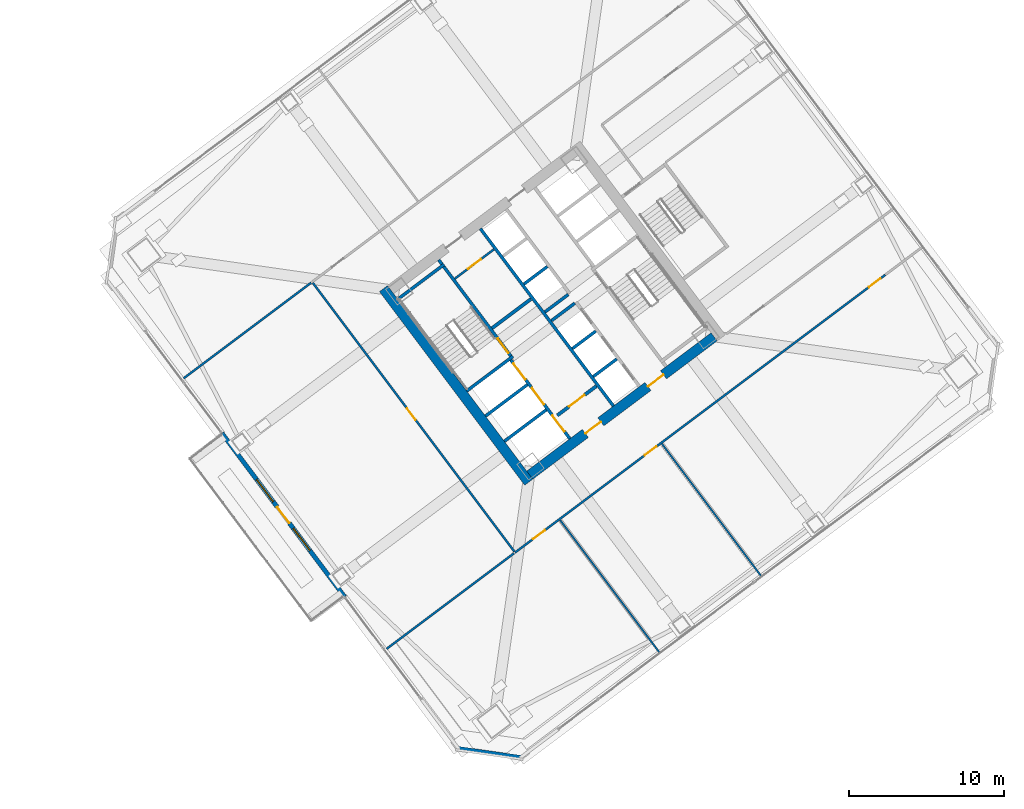
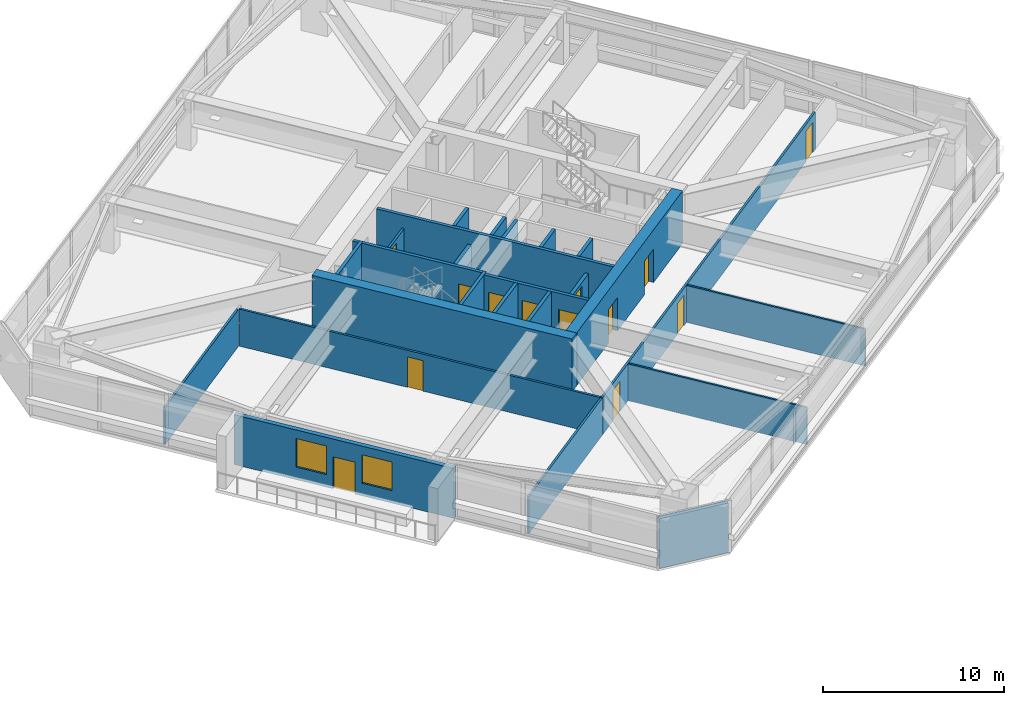
# One storey, part 40 of 48: 25 walls, 13 doors, 2 windows, 15 openings.
"""IFC4 building model written with IfcOpenShell, lengths in metres."""

from ifc_helpers import new_model, si_unit, direction, frame, frame_2d, origin, place, context, subcontext, project, spatial, rectangle, extrude, material, layer, layer_set, type_object, element, fill, save


model = new_model("IFC4")

# Units and contexts
model_context = context("Model", 3, precision=1e-05, world=origin(), true_north=direction((0.0, 1.0)))
body_context = subcontext(model_context, "Body", "Model", "MODEL_VIEW")
ifc_project = project(units=[si_unit("LENGTHUNIT", "METRE"), si_unit("AREAUNIT", "SQUARE_METRE"), si_unit("VOLUMEUNIT", "CUBIC_METRE"), si_unit("PLANEANGLEUNIT", "RADIAN"), si_unit("MASSUNIT", "GRAM", prefix="KILO")], contexts=[model_context])

# Site, building, storey
site_placement = place(None, origin())
site = spatial("IfcSite", under=ifc_project, at=site_placement, CompositionType="ELEMENT")
building_placement = place(site_placement, origin())
building = spatial("IfcBuilding", under=site, at=building_placement, Name="Tashvorn Skyway Center", CompositionType="ELEMENT")
storey_placement = place(building_placement, frame((0.0, 0.0, 63.64990234375)))
storey = spatial("IfcBuildingStorey", under=building, at=storey_placement, Name="L16", CompositionType="ELEMENT", Elevation=63.64990234375)

# Wall
ifc_material_1 = material(Name="Concrete C60/75", Category="concrete")
ifc_layer_1 = layer(ifc_material_1, 0.64990234375)
ifc_layer_set_1 = layer_set([ifc_layer_1], Name="Concrete C60/75")
wall_type_1 = type_object("IfcWallType", Name="WALL-CORE-650", PredefinedType="SHEAR", material=ifc_layer_set_1)
wall_1_placement = place(storey_placement, frame((112.47607421875, 21.10693359375, 0.0), z_axis=(0.0, 0.0, 1.0), x_axis=(-0.600005007985, 0.799996243986, 0.0)))
element("IfcWall", 1, at=wall_1_placement, inside=storey, type_object=wall_type_1, Name="Tower 2 L16 West Core Shear Wall", PredefinedType="SHEAR", context=body_context, shape_type="SweptSolid", body=[
    extrude(rectangle(XDim=15.60009765625, YDim=0.64990234375, at=frame_2d((7.800048828125, 0.0))), origin(), (0.0, 0.0, 1.0), 3.550048828125),
])

# Wall, openings, doors
wall_2_placement = place(storey_placement, frame((124.428955078125, 30.47802734375, 0.0), z_axis=(0.0, 0.0, 1.0), x_axis=(-0.799998028465, -0.600002628705, 0.0)))
wall_2 = element("IfcWall", 2, at=wall_2_placement, inside=storey, type_object=wall_type_1, Name="Tower 2 L16 South Core Shear Wall", PredefinedType="SHEAR", context=body_context, shape_type="SweptSolid", body=[
    extrude(rectangle(XDim=14.85986328125, YDim=0.64990234375, at=frame_2d((7.429931640625, 0.0))), origin(), (0.0, 0.0, 1.0), 3.550048828125),
])
opening_1_placement = place(wall_2_placement, frame((9.1298828125, 0.0, 0.0)))
opening_1 = element("IfcOpeningElement", 3, at=opening_1_placement, cuts=wall_2, Name="Opening D-FFL-1250", PredefinedType="OPENING", context=body_context, shape_type="SweptSolid", body=[
    extrude(rectangle(XDim=1.25, YDim=2.25, at=frame_2d((0.625, 1.125))), frame((0.0, 0.3349609375, 0.0), z_axis=(0.0, -1.0, 0.0), x_axis=(1.0, 0.0, 0.0)), (0.0, 0.0, 1.0), 0.669921875),
])
opening_2_placement = place(wall_2_placement, frame((4.080078125, 0.0, 0.0)))
opening_2 = element("IfcOpeningElement", 4, at=opening_2_placement, cuts=wall_2, Name="Opening D-FFL-1250", PredefinedType="OPENING", context=body_context, shape_type="SweptSolid", body=[
    extrude(rectangle(XDim=1.25, YDim=2.25, at=frame_2d((0.625, 1.125))), frame((0.0, 0.3349609375, 0.0), z_axis=(0.0, -1.0, 0.0), x_axis=(1.0, 0.0, 0.0)), (0.0, 0.0, 1.0), 0.669921875),
])
ifc_material_2 = material(Name="Hollow galvanized steel fire door assembly", Category="steel")
door_type_1 = type_object("IfcDoorType", Name="DOOR-FFL-1250", OperationType="NOTDEFINED", PredefinedType="DOOR", material=ifc_material_2)
door_1_placement = place(opening_1_placement, origin())
door_1 = element("IfcDoor", 5, at=door_1_placement, inside=storey, type_object=door_type_1, Name="Tower 2 L16 Core South Firefighting Exit Door", OperationType="SINGLE_SWING_LEFT", OverallHeight=2.25, OverallWidth=1.25, PredefinedType="DOOR", context=body_context, shape_type="SweptSolid", body=[
    extrude(rectangle(XDim=1.25, YDim=2.25, at=frame_2d((0.625, 1.125))), frame((0.0, 0.02490234375, 0.0), z_axis=(0.0, -1.0, 0.0), x_axis=(1.0, 0.0, 0.0)), (0.0, 0.0, 1.0), 0.050048828125),
])
fill(opening_1, door_1)
door_2_placement = place(opening_2_placement, origin())
door_2 = element("IfcDoor", 6, at=door_2_placement, inside=storey, type_object=door_type_1, Name="Tower 2 L16 Core South Lift Lobby Door", OperationType="SINGLE_SWING_RIGHT", OverallHeight=2.25, OverallWidth=1.25, PredefinedType="DOOR", context=body_context, shape_type="SweptSolid", body=[
    extrude(rectangle(XDim=1.25, YDim=2.25, at=frame_2d((0.625, 1.125))), frame((0.0, 0.02490234375, 0.0), z_axis=(0.0, -1.0, 0.0), x_axis=(1.0, 0.0, 0.0)), (0.0, 0.0, 1.0), 0.050048828125),
])
fill(opening_2, door_2)

# Wall, openings, door, windows
ifc_material_3 = material(Name="Precast concrete C40/50", Category="concrete")
ifc_layer_2 = layer(ifc_material_3, 0.280029296875)
ifc_layer_set_2 = layer_set([ifc_layer_2], Name="Precast concrete C40/50")
wall_type_2 = type_object("IfcWallType", Name="WALL-EXT-280", PredefinedType="SOLIDWALL", material=ifc_layer_set_2)
wall_3_placement = place(storey_placement, frame((100.615966796875, 13.7119140625, 0.0), z_axis=(0.0, 0.0, 1.0), x_axis=(-0.599994081423, 0.800004438899, 0.0)))
wall_3 = element("IfcWall", 7, at=wall_3_placement, inside=storey, type_object=wall_type_2, Name="Tower 2 L16 West Sky Garden Loggia Wall", PredefinedType="SOLIDWALL", context=body_context, shape_type="SweptSolid", body=[
    extrude(rectangle(XDim=13.199951171875, YDim=0.280029296875, at=frame_2d((6.60009765625, 0.0))), origin(), (0.0, 0.0, 1.0), 3.35009765625),
])
opening_3_placement = place(wall_3_placement, frame((5.949951171875, 0.0, 0.0)))
opening_3 = element("IfcOpeningElement", 8, at=opening_3_placement, cuts=wall_3, Name="Opening D-TER-1300", PredefinedType="OPENING", context=body_context, shape_type="SweptSolid", body=[
    extrude(rectangle(XDim=1.300048828125, YDim=2.14990234375, at=frame_2d((0.64990234375, 1.074951171875))), frame((0.0, 0.14990234375, 0.0), z_axis=(0.0, -1.0, 0.0), x_axis=(1.0, 0.0, 0.0)), (0.0, 0.0, 1.0), 0.300048828125),
])
opening_4_placement = place(wall_3_placement, frame((3.73193359375, 0.0, 0.85009765625)))
opening_4 = element("IfcOpeningElement", 9, at=opening_4_placement, cuts=wall_3, Name="Opening WIN-1800", PredefinedType="OPENING", context=body_context, shape_type="SweptSolid", body=[
    extrude(rectangle(XDim=1.800048828125, YDim=1.919921875, at=frame_2d((0.89990234375, 0.9599609375))), frame((0.0, 0.14990234375, 0.0), z_axis=(0.0, -1.0, 0.0), x_axis=(1.0, 0.0, 0.0)), (0.0, 0.0, 1.0), 0.300048828125),
])
opening_5_placement = place(wall_3_placement, frame((7.66796875, 0.0, 0.85009765625)))
opening_5 = element("IfcOpeningElement", 10, at=opening_5_placement, cuts=wall_3, Name="Opening WIN-1800", PredefinedType="OPENING", context=body_context, shape_type="SweptSolid", body=[
    extrude(rectangle(XDim=1.800048828125, YDim=1.919921875, at=frame_2d((0.89990234375, 0.9599609375))), frame((0.0, 0.14990234375, 0.0), z_axis=(0.0, -1.0, 0.0), x_axis=(1.0, 0.0, 0.0)), (0.0, 0.0, 1.0), 0.300048828125),
])
ifc_material_4 = material(Name="Thermally broken bronze-anodized aluminium 6063-T6", Category="aluminium")
door_type_2 = type_object("IfcDoorType", Name="DOOR-TERR-1300", OperationType="NOTDEFINED", PredefinedType="DOOR", material=ifc_material_4)
door_3_placement = place(opening_3_placement, origin())
door_3 = element("IfcDoor", 11, at=door_3_placement, inside=storey, type_object=door_type_2, Name="Tower 2 L16 Sky Garden Access Door", OperationType="SINGLE_SWING_LEFT", OverallHeight=2.14990234375, OverallWidth=1.300048828125, PredefinedType="DOOR", context=body_context, shape_type="SweptSolid", body=[
    extrude(rectangle(XDim=1.300048828125, YDim=2.14990234375, at=frame_2d((0.64990234375, 1.074951171875))), frame((0.0, 0.02490234375, 0.0), z_axis=(0.0, -1.0, 0.0), x_axis=(1.0, 0.0, 0.0)), (0.0, 0.0, 1.0), 0.050048828125),
])
fill(opening_3, door_3)
ifc_material_5 = material(Name="Low-E solar-control double insulating safety glass", Category="glass")
window_type = type_object("IfcWindowType", Name="WIN-TERR-1800", PartitioningType="SINGLE_PANEL", PredefinedType="WINDOW", material=ifc_material_5)
window_1_placement = place(opening_4_placement, origin())
window_1 = element("IfcWindow", 12, at=window_1_placement, inside=storey, type_object=window_type, Name="Tower 2 L16 Sky Garden Window", OverallHeight=1.919921875, OverallWidth=1.800048828125, PartitioningType="SINGLE_PANEL", PredefinedType="WINDOW", context=body_context, shape_type="SweptSolid", body=[
    extrude(rectangle(XDim=1.800048828125, YDim=1.919921875, at=frame_2d((0.89990234375, 0.9599609375))), frame((0.0, 0.030029296875, 0.0), z_axis=(0.0, -1.0, 0.0), x_axis=(1.0, 0.0, 0.0)), (0.0, 0.0, 1.0), 0.06005859375),
])
fill(opening_4, window_1)
window_2_placement = place(opening_5_placement, origin())
window_2 = element("IfcWindow", 13, at=window_2_placement, inside=storey, type_object=window_type, Name="Tower 2 L16 Sky Garden Second Window", OverallHeight=1.919921875, OverallWidth=1.800048828125, PartitioningType="SINGLE_PANEL", PredefinedType="WINDOW", context=body_context, shape_type="SweptSolid", body=[
    extrude(rectangle(XDim=1.800048828125, YDim=1.919921875, at=frame_2d((0.89990234375, 0.9599609375))), frame((0.0, 0.030029296875, 0.0), z_axis=(0.0, -1.0, 0.0), x_axis=(1.0, 0.0, 0.0)), (0.0, 0.0, 1.0), 0.06005859375),
])
fill(opening_5, window_2)

# Walls
wall_4_placement = place(storey_placement, frame((111.97998046875, 3.360107421875, 0.0), z_axis=(0.0, 0.0, 1.0), x_axis=(-0.989955445613, 0.14137968631, 0.0)))
element("IfcWall", 14, at=wall_4_placement, inside=storey, type_object=wall_type_2, Name="Tower 2 L16 SW Precast Chamfer Wall", PredefinedType="SOLIDWALL", context=body_context, shape_type="SweptSolid", body=[
    extrude(rectangle(XDim=4.101318359375, YDim=0.280029296875, at=frame_2d((2.05078125, 0.0))), origin(), (0.0, 0.0, 1.0), 3.35009765625),
])
ifc_material_6 = material(Name="Concrete C40/50", Category="concrete")
ifc_layer_3 = layer(ifc_material_6, 0.219970703125)
ifc_layer_set_3 = layer_set([ifc_layer_3], Name="Concrete C40/50")
wall_type_3 = type_object("IfcWallType", Name="WALL-FFL-220", PredefinedType="SOLIDWALL", material=ifc_layer_set_3)
wall_5_placement = place(storey_placement, frame((110.10400390625, 31.028076171875, 0.0), z_axis=(0.0, 0.0, 1.0), x_axis=(0.800018601094, 0.59997519774, 0.0)))
element("IfcWall", 15, at=wall_5_placement, inside=storey, type_object=wall_type_3, Name="Tower 2 L16 Firefighting Lobby North Wall", PredefinedType="SOLIDWALL", context=body_context, shape_type="SweptSolid", body=[
    extrude(rectangle(XDim=3.14990234375, YDim=0.219970703125, at=frame_2d((1.574951171875, 0.0))), origin(), (0.0, 0.0, 1.0), 2.4931640625),
])

# Wall, opening, door
wall_6_placement = place(storey_placement, frame((114.31591796875, 25.412109375, 0.0), z_axis=(0.0, 0.0, 1.0), x_axis=(0.800018601094, 0.59997519774, 0.0)))
wall_6 = element("IfcWall", 16, at=wall_6_placement, inside=storey, type_object=wall_type_3, Name="Tower 2 L16 Firefighting Lobby South Wall", PredefinedType="SOLIDWALL", context=body_context, shape_type="SweptSolid", body=[
    extrude(rectangle(XDim=3.14990234375, YDim=0.219970703125, at=frame_2d((1.574951171875, 0.0))), origin(), (0.0, 0.0, 1.0), 2.4931640625),
])
opening_6_placement = place(wall_6_placement, frame((0.949951171875, 0.0, 0.0)))
opening_6 = element("IfcOpeningElement", 17, at=opening_6_placement, cuts=wall_6, Name="Opening D-FFL-1250", PredefinedType="OPENING", context=body_context, shape_type="SweptSolid", body=[
    extrude(rectangle(XDim=1.25, YDim=2.25, at=frame_2d((0.625, 1.125))), frame((0.0, 0.119873046875, 0.0), z_axis=(0.0, -1.0, 0.0), x_axis=(1.0, 0.0, 0.0)), (0.0, 0.0, 1.0), 0.239990234375),
])
door_4_placement = place(opening_6_placement, origin())
door_4 = element("IfcDoor", 18, at=door_4_placement, inside=storey, type_object=door_type_1, Name="Tower 2 L16 Firefighting Lobby Egress Door", OperationType="SINGLE_SWING_LEFT", OverallHeight=2.25, OverallWidth=1.25, PredefinedType="DOOR", context=body_context, shape_type="SweptSolid", body=[
    extrude(rectangle(XDim=1.25, YDim=2.25, at=frame_2d((0.625, 1.125))), frame((0.0, 0.02490234375, 0.0), z_axis=(0.0, -1.0, 0.0), x_axis=(1.0, 0.0, 0.0)), (0.0, 0.0, 1.0), 0.050048828125),
])
fill(opening_6, door_4)

# Walls
ifc_material_7 = material(Name="Gypsum board on cold-formed steel stud framing", Category="steel")
ifc_layer_4 = layer(ifc_material_7, 0.110107421875)
ifc_layer_set_4 = layer_set([ifc_layer_4], Name="Gypsum board on cold-formed steel stud framing")
wall_type_4 = type_object("IfcWallType", Name="WALL-PART-110", PredefinedType="PARTITIONING", material=ifc_layer_set_4)
wall_7_placement = place(storey_placement, frame((120.927978515625, 10.095947265625, 0.0), z_axis=(0.0, 0.0, 1.0), x_axis=(-0.599992698573, 0.800005476018, 0.0)))
element("IfcWall", 19, at=wall_7_placement, inside=storey, type_object=wall_type_4, Name="Tower 2 L16 South Suite Partition 1", PredefinedType="PARTITIONING", context=body_context, shape_type="SweptSolid", body=[
    extrude(rectangle(XDim=10.699951171875, YDim=0.110107421875, at=frame_2d((5.35009765625, 0.0))), origin(), (0.0, 0.0, 1.0), 2.4931640625),
])
wall_8_placement = place(storey_placement, frame((127.488037109375, 15.01611328125, 0.0), z_axis=(0.0, 0.0, 1.0), x_axis=(-0.600003650761, 0.799997261916, 0.0)))
element("IfcWall", 20, at=wall_8_placement, inside=storey, type_object=wall_type_4, Name="Tower 2 L16 South Suite Partition 2", PredefinedType="PARTITIONING", context=body_context, shape_type="SweptSolid", body=[
    extrude(rectangle(XDim=10.69970703125, YDim=0.110107421875, at=frame_2d((5.349853515625, 0.0))), origin(), (0.0, 0.0, 1.0), 2.4931640625),
])

# Wall, openings, doors
ifc_layer_5 = layer(ifc_material_7, 0.135009765625)
ifc_layer_set_5 = layer_set([ifc_layer_5], Name="Gypsum board on cold-formed steel stud framing")
wall_type_5 = type_object("IfcWallType", Name="WALL-PART-135", PredefinedType="PARTITIONING", material=ifc_layer_set_5)
wall_9_placement = place(storey_placement, frame((135.4599609375, 34.469970703125, 0.0), z_axis=(0.0, 0.0, 1.0), x_axis=(-0.800000982127, -0.599998690494, 0.0)))
wall_9 = element("IfcWall", 21, at=wall_9_placement, inside=storey, type_object=wall_type_5, Name="Tower 2 L16 South Suite Wall", PredefinedType="PARTITIONING", context=body_context, shape_type="SweptSolid", body=[
    extrude(rectangle(XDim=29.830078125, YDim=0.135009765625, at=frame_2d((14.9150390625, 0.0))), origin(), (0.0, 0.0, 1.0), 2.4931640625),
])
opening_7_placement = place(wall_9_placement, frame((27.431396484375, 0.0, 0.0)))
opening_7 = element("IfcOpeningElement", 22, at=opening_7_placement, cuts=wall_9, Name="Opening D-INT-950", PredefinedType="OPENING", context=body_context, shape_type="SweptSolid", body=[
    extrude(rectangle(XDim=0.949951171875, YDim=2.050048828125, at=frame_2d((0.47509765625, 1.02490234375))), frame((0.0, 0.077392578125, 0.0), z_axis=(0.0, -1.0, 0.0), x_axis=(1.0, 0.0, 0.0)), (0.0, 0.0, 1.0), 0.155029296875),
])
opening_8_placement = place(wall_9_placement, frame((18.429931640625, 0.0, 0.0)))
opening_8 = element("IfcOpeningElement", 23, at=opening_8_placement, cuts=wall_9, Name="Opening D-INT-950", PredefinedType="OPENING", context=body_context, shape_type="SweptSolid", body=[
    extrude(rectangle(XDim=0.949951171875, YDim=2.050048828125, at=frame_2d((0.47509765625, 1.02490234375))), frame((0.0, 0.077392578125, 0.0), z_axis=(0.0, -1.0, 0.0), x_axis=(1.0, 0.0, 0.0)), (0.0, 0.0, 1.0), 0.155029296875),
])
opening_9_placement = place(wall_9_placement, frame((0.3798828125, 0.0, 0.0)))
opening_9 = element("IfcOpeningElement", 24, at=opening_9_placement, cuts=wall_9, Name="Opening D-INT-950", PredefinedType="OPENING", context=body_context, shape_type="SweptSolid", body=[
    extrude(rectangle(XDim=0.949951171875, YDim=2.050048828125, at=frame_2d((0.47509765625, 1.02490234375))), frame((0.0, 0.077392578125, 0.0), z_axis=(0.0, -1.0, 0.0), x_axis=(1.0, 0.0, 0.0)), (0.0, 0.0, 1.0), 0.155029296875),
])
ifc_material_8 = material(Name="Solid-core architectural oak veneer door")
door_type_3 = type_object("IfcDoorType", Name="DOOR-INT-950", OperationType="NOTDEFINED", PredefinedType="DOOR", material=ifc_material_8)
door_5_placement = place(opening_7_placement, origin())
door_5 = element("IfcDoor", 25, at=door_5_placement, inside=storey, type_object=door_type_3, Name="Tower 2 L16 Open Plan Office Door", OperationType="SINGLE_SWING_RIGHT", OverallHeight=2.050048828125, OverallWidth=0.949951171875, PredefinedType="DOOR", context=body_context, shape_type="SweptSolid", body=[
    extrude(rectangle(XDim=0.949951171875, YDim=2.050048828125, at=frame_2d((0.47509765625, 1.02490234375))), frame((0.0, 0.02490234375, 0.0), z_axis=(0.0, -1.0, 0.0), x_axis=(1.0, 0.0, 0.0)), (0.0, 0.0, 1.0), 0.050048828125),
])
fill(opening_7, door_5)
door_6_placement = place(opening_8_placement, origin())
door_6 = element("IfcDoor", 26, at=door_6_placement, inside=storey, type_object=door_type_3, Name="Tower 2 L16 Staff Fitness Club Door", OperationType="SINGLE_SWING_LEFT", OverallHeight=2.050048828125, OverallWidth=0.949951171875, PredefinedType="DOOR", context=body_context, shape_type="SweptSolid", body=[
    extrude(rectangle(XDim=0.949951171875, YDim=2.050048828125, at=frame_2d((0.47509765625, 1.02490234375))), frame((0.0, 0.02490234375, 0.0), z_axis=(0.0, -1.0, 0.0), x_axis=(1.0, 0.0, 0.0)), (0.0, 0.0, 1.0), 0.050048828125),
])
fill(opening_8, door_6)
door_7_placement = place(opening_9_placement, origin())
door_7 = element("IfcDoor", 27, at=door_7_placement, inside=storey, type_object=door_type_3, Name="Tower 2 L16 Staff Fitness Club Door", OperationType="SINGLE_SWING_RIGHT", OverallHeight=2.050048828125, OverallWidth=0.949951171875, PredefinedType="DOOR", context=body_context, shape_type="SweptSolid", body=[
    extrude(rectangle(XDim=0.949951171875, YDim=2.050048828125, at=frame_2d((0.47509765625, 1.02490234375))), frame((0.0, 0.02490234375, 0.0), z_axis=(0.0, -1.0, 0.0), x_axis=(1.0, 0.0, 0.0)), (0.0, 0.0, 1.0), 0.050048828125),
])
fill(opening_9, door_7)

# Wall, opening, door
wall_10_placement = place(storey_placement, frame((111.548095703125, 16.635986328125, 0.0), z_axis=(0.0, 0.0, 1.0), x_axis=(-0.600003610192, 0.799997292343, 0.0)))
wall_10 = element("IfcWall", 28, at=wall_10_placement, inside=storey, type_object=wall_type_5, Name="Tower 2 L16 West Inner Suite Wall", PredefinedType="PARTITIONING", context=body_context, shape_type="SweptSolid", body=[
    extrude(rectangle(XDim=21.64013671875, YDim=0.135009765625, at=frame_2d((10.820068359375, 0.0))), origin(), (0.0, 0.0, 1.0), 2.4931640625),
])
opening_10_placement = place(wall_10_placement, frame((10.59619140625, 0.0, 0.0)))
opening_10 = element("IfcOpeningElement", 29, at=opening_10_placement, cuts=wall_10, Name="Opening D-INT-950", PredefinedType="OPENING", context=body_context, shape_type="SweptSolid", body=[
    extrude(rectangle(XDim=0.949951171875, YDim=2.050048828125, at=frame_2d((0.47509765625, 1.02490234375))), frame((0.0, 0.077392578125, 0.0), z_axis=(0.0, -1.0, 0.0), x_axis=(1.0, 0.0, 0.0)), (0.0, 0.0, 1.0), 0.155029296875),
])
door_8_placement = place(opening_10_placement, origin())
door_8 = element("IfcDoor", 30, at=door_8_placement, inside=storey, type_object=door_type_3, Name="Tower 2 L16 Staff Fitness Club Door", OperationType="SINGLE_SWING_LEFT", OverallHeight=2.050048828125, OverallWidth=0.949951171875, PredefinedType="DOOR", context=body_context, shape_type="SweptSolid", body=[
    extrude(rectangle(XDim=0.949951171875, YDim=2.050048828125, at=frame_2d((0.47509765625, 1.02490234375))), frame((0.0, 0.02490234375, 0.0), z_axis=(0.0, -1.0, 0.0), x_axis=(1.0, 0.0, 0.0)), (0.0, 0.0, 1.0), 0.050048828125),
])
fill(opening_10, door_8)

# Walls
for number, where, z_axis, x_axis, name in (
    (31, (98.451904296875, 33.964111328125, 0.0), (0.0, 0.0, 1.0), (-0.799988589106, -0.600015214223, 0.0), "Tower 2 L16 West Suite North Wall"),
    (32, (103.31591796875, 10.362060546875, 0.0), (0.0, 0.0, 1.0), (0.80000855794, 0.599988589244, 0.0), "Tower 2 L16 West Suite South Wall"),
):
    element("IfcWall", number, at=place(storey_placement, frame(where, z_axis=z_axis, x_axis=x_axis)), inside=storey, type_object=wall_type_5, Name=name, PredefinedType="PARTITIONING", context=body_context, shape_type="SweptSolid", body=[
        extrude(rectangle(XDim=10.27001953125, YDim=0.135009765625, at=frame_2d((5.135009765625, 0.0))), origin(), (0.0, 0.0, 1.0), 2.4931640625),
    ])

# Wall, opening, door
ifc_layer_6 = layer(ifc_material_7, 0.135009765625)
ifc_layer_set_6 = layer_set([ifc_layer_6], Name="Gypsum board on cold-formed steel stud framing")
wall_type_6 = type_object("IfcWallType", Name="WALL-RATED-135", PredefinedType="PARTITIONING", material=ifc_layer_set_6)
wall_11_placement = place(storey_placement, frame((107.7099609375, 34.219970703125, 0.0), z_axis=(0.0, 0.0, 1.0), x_axis=(0.799981399002, 0.60002480053, 0.0)))
wall_11 = element("IfcWall", 33, at=wall_11_placement, inside=storey, type_object=wall_type_6, Name="Tower 2 L16 Core Service Lobby Wall", PredefinedType="PARTITIONING", context=body_context, shape_type="SweptSolid", body=[
    extrude(rectangle(XDim=3.150146484375, YDim=0.135009765625, at=frame_2d((1.5751953125, 0.0))), origin(), (0.0, 0.0, 1.0), 2.4931640625),
])
opening_11_placement = place(wall_11_placement, frame((1.050048828125, 0.0, 0.0)))
opening_11 = element("IfcOpeningElement", 34, at=opening_11_placement, cuts=wall_11, Name="Opening D-RT-1050", PredefinedType="OPENING", context=body_context, shape_type="SweptSolid", body=[
    extrude(rectangle(XDim=1.050048828125, YDim=2.199951171875, at=frame_2d((0.52490234375, 1.10009765625))), frame((0.0, 0.077392578125, 0.0), z_axis=(0.0, -1.0, 0.0), x_axis=(1.0, 0.0, 0.0)), (0.0, 0.0, 1.0), 0.155029296875),
])
door_type_4 = type_object("IfcDoorType", Name="DOOR-RATED-1050", OperationType="NOTDEFINED", PredefinedType="DOOR", material=ifc_material_2)
door_9_placement = place(opening_11_placement, origin())
door_9 = element("IfcDoor", 35, at=door_9_placement, inside=storey, type_object=door_type_4, Name="Tower 2 L16 Core Accessible WC Door", OperationType="SINGLE_SWING_LEFT", OverallHeight=2.199951171875, OverallWidth=1.050048828125, PredefinedType="DOOR", context=body_context, shape_type="SweptSolid", body=[
    extrude(rectangle(XDim=1.050048828125, YDim=2.199951171875, at=frame_2d((0.52490234375, 1.10009765625))), frame((0.0, 0.02490234375, 0.0), z_axis=(0.0, -1.0, 0.0), x_axis=(1.0, 0.0, 0.0)), (0.0, 0.0, 1.0), 0.050048828125),
])
fill(opening_11, door_9)

# Walls
ifc_layer_7 = layer(ifc_material_6, 0.199951171875)
ifc_layer_set_7 = layer_set([ifc_layer_7], Name="Concrete C40/50")
wall_type_7 = type_object("IfcWallType", Name="WALL-SHAFT-200", PredefinedType="SOLIDWALL", material=ifc_layer_set_7)
for number, where, z_axis, x_axis, name in (
    (36, (110.906005859375, 23.741943359375, 0.0), (0.0, 0.0, 1.0), (0.8, 0.6, 0.0), "Tower 2 L16 FSAE Shaft Divider"),
    (37, (109.68798828125, 25.365966796875, 0.0), (0.0, 0.0, 1.0), (0.8, 0.6, 0.0), "Tower 2 L16 FSAE Shaft Divider"),
):
    element("IfcWall", number, at=place(storey_placement, frame(where, z_axis=z_axis, x_axis=x_axis)), inside=storey, type_object=wall_type_7, Name=name, PredefinedType="SOLIDWALL", context=body_context, shape_type="SweptSolid", body=[
        extrude(rectangle(XDim=3.380126953125, YDim=0.199951171875, at=frame_2d((1.68994140625, 0.0))), origin(), (0.0, 0.0, 1.0), 3.35009765625),
    ])
wall_12_placement = place(storey_placement, frame((116.64599609375, 27.922119140625, 0.0), z_axis=(0.0, 0.0, 1.0), x_axis=(0.8, 0.6, 0.0)))
element("IfcWall", 38, at=wall_12_placement, inside=storey, type_object=wall_type_7, Name="Tower 2 L16 Low-Rise Shaft Divider", PredefinedType="SOLIDWALL", context=body_context, shape_type="SweptSolid", body=[
    extrude(rectangle(XDim=1.8798828125, YDim=0.199951171875, at=frame_2d((0.93994140625, 0.0))), origin(), (0.0, 0.0, 1.0), 3.35009765625),
])
wall_13_placement = place(storey_placement, frame((115.2958984375, 29.721923828125, 0.0), z_axis=(0.0, 0.0, 1.0), x_axis=(0.799984418148, 0.600020775241, 0.0)))
element("IfcWall", 39, at=wall_13_placement, inside=storey, type_object=wall_type_7, Name="Tower 2 L16 Low-Rise Shaft Divider", PredefinedType="SOLIDWALL", context=body_context, shape_type="SweptSolid", body=[
    extrude(rectangle(XDim=1.880126953125, YDim=0.199951171875, at=frame_2d((0.93994140625, 0.0))), origin(), (0.0, 0.0, 1.0), 3.35009765625),
])
wall_14_placement = place(storey_placement, frame((113.946044921875, 31.52197265625, 0.0), z_axis=(0.0, 0.0, 1.0), x_axis=(0.8, 0.6, 0.0)))
element("IfcWall", 40, at=wall_14_placement, inside=storey, type_object=wall_type_7, Name="Tower 2 L16 Low-Rise Shaft Divider", PredefinedType="SOLIDWALL", context=body_context, shape_type="SweptSolid", body=[
    extrude(rectangle(XDim=1.8798828125, YDim=0.199951171875, at=frame_2d((0.93994140625, 0.0))), origin(), (0.0, 0.0, 1.0), 3.35009765625),
])
wall_15_placement = place(storey_placement, frame((113.52587890625, 32.08203125, 0.0), z_axis=(0.0, 0.0, 1.0), x_axis=(0.800046745961, 0.599937666993, 0.0)))
element("IfcWall", 41, at=wall_15_placement, inside=storey, type_object=wall_type_7, Name="Tower 2 L16 Mid-Rise Shaft Divider", PredefinedType="SOLIDWALL", context=body_context, shape_type="SweptSolid", body=[
    extrude(rectangle(XDim=1.880126953125, YDim=0.199951171875, at=frame_2d((0.93994140625, 0.0))), origin(), (0.0, 0.0, 1.0), 3.35009765625),
])
wall_16_placement = place(storey_placement, frame((112.176025390625, 33.882080078125, 0.0), z_axis=(0.0, 0.0, 1.0), x_axis=(0.8, 0.6, 0.0)))
element("IfcWall", 42, at=wall_16_placement, inside=storey, type_object=wall_type_7, Name="Tower 2 L16 Mid-Rise Shaft Divider", PredefinedType="SOLIDWALL", context=body_context, shape_type="SweptSolid", body=[
    extrude(rectangle(XDim=1.8798828125, YDim=0.199951171875, at=frame_2d((0.93994140625, 0.0))), origin(), (0.0, 0.0, 1.0), 3.35009765625),
])

# Wall, opening, door
ifc_layer_8 = layer(ifc_material_6, 0.199951171875)
ifc_layer_set_8 = layer_set([ifc_layer_8], Name="Concrete C40/50")
wall_type_8 = type_object("IfcWallType", Name="WALL-STSHF-200", PredefinedType="SHEAR", material=ifc_layer_set_8)
wall_17_placement = place(storey_placement, frame((111.43994140625, 29.080078125, 0.0), z_axis=(0.0, 0.0, 1.0), x_axis=(-0.600009827119, 0.799992629566, 0.0)))
wall_17 = element("IfcWall", 43, at=wall_17_placement, inside=storey, type_object=wall_type_8, Name="Tower 2 L16 Stair 1 Enclosure Wall", PredefinedType="SHEAR", context=body_context, shape_type="SweptSolid", body=[
    extrude(rectangle(XDim=7.949951171875, YDim=0.199951171875, at=frame_2d((3.97509765625, 0.0))), origin(), (0.0, 0.0, 1.0), 3.35009765625),
])
opening_12_placement = place(wall_17_placement, frame((0.449951171875, 0.0, 0.0)))
opening_12 = element("IfcOpeningElement", 44, at=opening_12_placement, cuts=wall_17, Name="Opening D-ST-1150", PredefinedType="OPENING", context=body_context, shape_type="SweptSolid", body=[
    extrude(rectangle(XDim=1.14990234375, YDim=2.199951171875, at=frame_2d((0.574951171875, 1.10009765625))), frame((0.0, 0.10986328125, 0.0), z_axis=(0.0, -1.0, 0.0), x_axis=(1.0, 0.0, 0.0)), (0.0, 0.0, 1.0), 0.219970703125),
])
door_type_5 = type_object("IfcDoorType", Name="DOOR-STAIR-1150", OperationType="NOTDEFINED", PredefinedType="DOOR", material=ifc_material_2)
door_10_placement = place(opening_12_placement, origin())
door_10 = element("IfcDoor", 45, at=door_10_placement, inside=storey, type_object=door_type_5, Name="Tower 2 L16 Exit Stair 1 Door", OperationType="SINGLE_SWING_RIGHT", OverallHeight=2.199951171875, OverallWidth=1.14990234375, PredefinedType="DOOR", context=body_context, shape_type="SweptSolid", body=[
    extrude(rectangle(XDim=1.14990234375, YDim=2.199951171875, at=frame_2d((0.574951171875, 1.10009765625))), frame((0.0, 0.02490234375, 0.0), z_axis=(0.0, -1.0, 0.0), x_axis=(1.0, 0.0, 0.0)), (0.0, 0.0, 1.0), 0.050048828125),
])
fill(opening_12, door_10)

# Walls
for number, where, z_axis, x_axis, name in (
    (46, (108.47607421875, 26.98193359375, 0.0), (0.0, 0.0, 1.0), (0.799984290658, 0.600020945218, 0.0), "Tower 2 L16 Stair 1 South Wall"),
    (47, (104.035888671875, 32.902099609375, 0.0), (0.0, 0.0, 1.0), (0.800039270442, 0.59994763584, 0.0), "Tower 2 L16 Stair 1 North Wall"),
):
    element("IfcWall", number, at=place(storey_placement, frame(where, z_axis=z_axis, x_axis=x_axis)), inside=storey, type_object=wall_type_8, Name=name, PredefinedType="SHEAR", context=body_context, shape_type="SweptSolid", body=[
        extrude(rectangle(XDim=3.72998046875, YDim=0.199951171875, at=frame_2d((1.864990234375, 0.0))), origin(), (0.0, 0.0, 1.0), 3.35009765625),
    ])
wall_18_placement = place(storey_placement, frame((117.93798828125, 26.01611328125, 0.0), z_axis=(0.0, 0.0, 1.0), x_axis=(-0.600005463273, 0.799995902516, 0.0)))
element("IfcWall", 48, at=wall_18_placement, inside=storey, type_object=wall_type_8, Name="Tower 2 L16 Firefighting Lobby East Smoke Barrier", PredefinedType="SHEAR", context=body_context, shape_type="SweptSolid", body=[
    extrude(rectangle(XDim=14.300048828125, YDim=0.199951171875, at=frame_2d((7.14990234375, 0.0))), origin(), (0.0, 0.0, 1.0), 3.35009765625),
])

# Wall, openings, doors
wall_19_placement = place(storey_placement, frame((115.1298828125, 23.909912109375, 0.0), z_axis=(0.0, 0.0, 1.0), x_axis=(-0.599975393228, 0.800018454488, 0.0)))
wall_19 = element("IfcWall", 49, at=wall_19_placement, inside=storey, type_object=wall_type_8, Name="Tower 2 L16 FSAE and Goods Shaft Front Wall", PredefinedType="SHEAR", context=body_context, shape_type="SweptSolid", body=[
    extrude(rectangle(XDim=6.349853515625, YDim=0.199951171875, at=frame_2d((3.1748046875, 0.0))), origin(), (0.0, 0.0, 1.0), 3.35009765625),
])
opening_13_placement = place(wall_19_placement, frame((4.77490234375, 0.0, 0.0)))
opening_13 = element("IfcOpeningElement", 50, at=opening_13_placement, cuts=wall_19, Name="Opening LD-FF-T2-1-L16", PredefinedType="OPENING", context=body_context, shape_type="SweptSolid", body=[
    extrude(rectangle(XDim=1.300048828125, YDim=2.25, at=frame_2d((0.64990234375, 1.125))), frame((0.0, 0.10986328125, 0.0), z_axis=(0.0, -1.0, 0.0), x_axis=(1.0, 0.0, 0.0)), (0.0, 0.0, 1.0), 0.219970703125),
])
opening_14_placement = place(wall_19_placement, frame((2.77490234375, 0.0, 0.0)))
opening_14 = element("IfcOpeningElement", 51, at=opening_14_placement, cuts=wall_19, Name="Opening LD-FF-T2-2-L16", PredefinedType="OPENING", context=body_context, shape_type="SweptSolid", body=[
    extrude(rectangle(XDim=1.300048828125, YDim=2.25, at=frame_2d((0.64990234375, 1.125))), frame((0.0, 0.10986328125, 0.0), z_axis=(0.0, -1.0, 0.0), x_axis=(1.0, 0.0, 0.0)), (0.0, 0.0, 1.0), 0.219970703125),
])
opening_15_placement = place(wall_19_placement, frame((0.574951171875, 0.0, 0.0)))
opening_15 = element("IfcOpeningElement", 52, at=opening_15_placement, cuts=wall_19, Name="Opening LD-GD-T2-1-L16", PredefinedType="OPENING", context=body_context, shape_type="SweptSolid", body=[
    extrude(rectangle(XDim=1.300048828125, YDim=2.25, at=frame_2d((0.64990234375, 1.125))), frame((0.0, 0.10986328125, 0.0), z_axis=(0.0, -1.0, 0.0), x_axis=(1.0, 0.0, 0.0)), (0.0, 0.0, 1.0), 0.219970703125),
])
ifc_material_9 = material(Name="Stainless steel heavy-duty landing door", Category="steel")
door_type_6 = type_object("IfcDoorType", Name="DOOR-LIFT-1300", OperationType="SLIDING_TO_LEFT", PredefinedType="DOOR", material=ifc_material_9)
door_11_placement = place(opening_13_placement, origin())
door_11 = element("IfcDoor", 53, at=door_11_placement, inside=storey, type_object=door_type_6, Name="Lift FF-T2-1 L16 Landing Door", OperationType="SLIDING_TO_LEFT", OverallHeight=2.25, OverallWidth=1.300048828125, PredefinedType="DOOR", context=body_context, shape_type="SweptSolid", body=[
    extrude(rectangle(XDim=1.300048828125, YDim=2.25, at=frame_2d((0.64990234375, 1.125))), frame((0.0, 0.02490234375, 0.0), z_axis=(0.0, -1.0, 0.0), x_axis=(1.0, 0.0, 0.0)), (0.0, 0.0, 1.0), 0.050048828125),
])
fill(opening_13, door_11)
door_12_placement = place(opening_14_placement, origin())
door_12 = element("IfcDoor", 54, at=door_12_placement, inside=storey, type_object=door_type_6, Name="Lift FF-T2-2 L16 Landing Door", OperationType="SLIDING_TO_LEFT", OverallHeight=2.25, OverallWidth=1.300048828125, PredefinedType="DOOR", context=body_context, shape_type="SweptSolid", body=[
    extrude(rectangle(XDim=1.300048828125, YDim=2.25, at=frame_2d((0.64990234375, 1.125))), frame((0.0, 0.02490234375, 0.0), z_axis=(0.0, -1.0, 0.0), x_axis=(1.0, 0.0, 0.0)), (0.0, 0.0, 1.0), 0.050048828125),
])
fill(opening_14, door_12)
door_13_placement = place(opening_15_placement, origin())
door_13 = element("IfcDoor", 55, at=door_13_placement, inside=storey, type_object=door_type_6, Name="Lift GD-T2-1 L16 Landing Door", OperationType="SLIDING_TO_LEFT", OverallHeight=2.25, OverallWidth=1.300048828125, PredefinedType="DOOR", context=body_context, shape_type="SweptSolid", body=[
    extrude(rectangle(XDim=1.300048828125, YDim=2.25, at=frame_2d((0.64990234375, 1.125))), frame((0.0, 0.02490234375, 0.0), z_axis=(0.0, -1.0, 0.0), x_axis=(1.0, 0.0, 0.0)), (0.0, 0.0, 1.0), 0.050048828125),
])
fill(opening_15, door_13)

save(model, "model.ifc")
